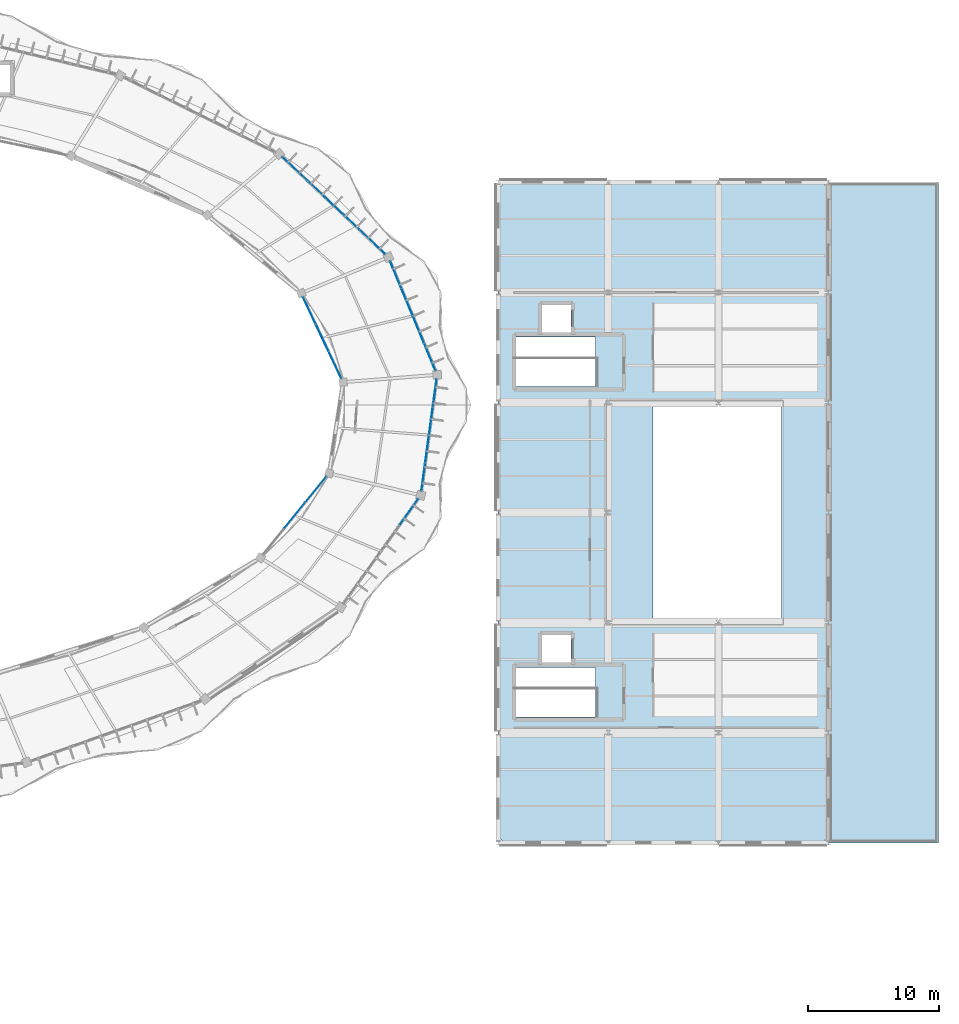
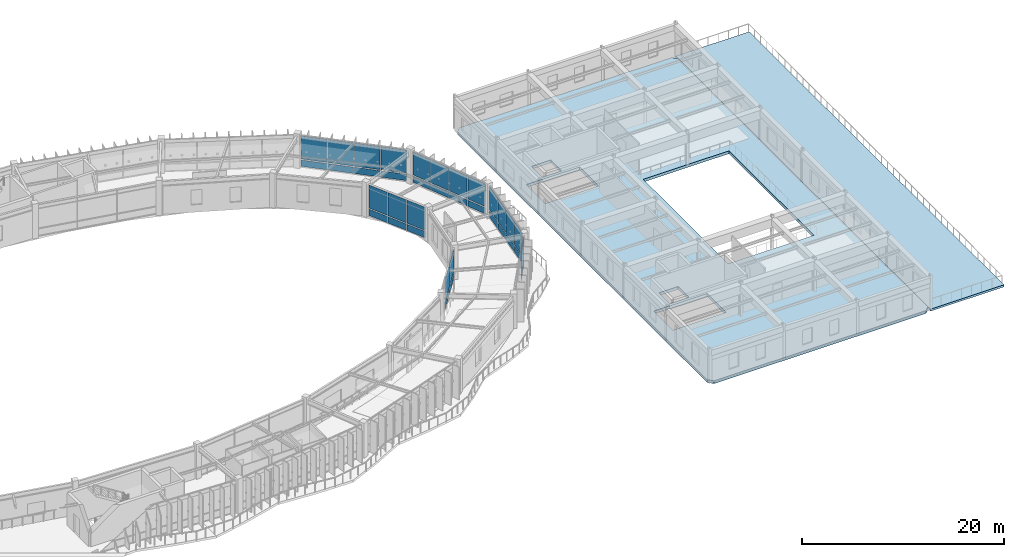
# One storey, part 87 of 114: 36 plates, 2 slabs, 6 elements without a shape of their own.
"""IFC4 building model written with IfcOpenShell, lengths in metres."""

from ifc_helpers import new_model, si_unit, direction, frame, origin, origin_2d, place, context, subcontext, project, spatial, polyline, rectangle, outline, extrude, material, layer, layer_set, type_object, element, aggregate, save


model = new_model("IFC4")

# Units and contexts
model_context = context("Model", 3, precision=1e-05, world=origin(), true_north=direction((0.0, 1.0)))
body_context = subcontext(model_context, "Body", "Model", "MODEL_VIEW")
ifc_project = project(units=[si_unit("LENGTHUNIT", "METRE"), si_unit("AREAUNIT", "SQUARE_METRE"), si_unit("VOLUMEUNIT", "CUBIC_METRE"), si_unit("PLANEANGLEUNIT", "RADIAN"), si_unit("MASSUNIT", "GRAM", prefix="KILO"), si_unit("THERMODYNAMICTEMPERATUREUNIT", "KELVIN"), si_unit("POWERUNIT", "WATT")], contexts=[model_context])

# Site, building, storey
site_placement = place(None, origin())
site = spatial("IfcSite", under=ifc_project, at=site_placement, CompositionType="ELEMENT")
building_placement = place(site_placement, origin())
building = spatial("IfcBuilding", under=site, at=building_placement, Name="Darbajah Civic Hall", CompositionType="ELEMENT")
storey_placement = place(building_placement, frame((0.0, 0.0, 13.800048828125)))
storey = spatial("IfcBuildingStorey", under=building, at=storey_placement, Name="L03", CompositionType="ELEMENT", Elevation=13.800048828125)

# Curtain wall, plates
ifc_material_1 = material(Name="Anodised Bronze Aluminium and Low-E Glazing", Category="aluminium")
curtain_wall_type_1 = type_object("IfcCurtainWallType", Name="Unitised Curtain Wall CW-55 6900x3900", PredefinedType="USERDEFINED", material=ifc_material_1)
curtain_wall_1_placement = place(storey_placement, origin())
curtain_wall_1 = element("IfcCurtainWall", 1, at=curtain_wall_1_placement, inside=storey, type_object=curtain_wall_type_1, Name="L03 unitised curtain wall CW-V1I-L03-00", ObjectType="UNITISED CURTAIN WALL", PredefinedType="USERDEFINED")
ifc_material_2 = material(Name="Low-E Solar Control Double Glazing", Category="glass")
ifc_layer_1 = layer(ifc_material_2, 0.028076171875, Name="Low-E Solar Control Double Glazing")
ifc_layer_set_1 = layer_set([ifc_layer_1], Name="Low-E Solar Control Double Glazing")
plate_type_1 = type_object("IfcPlateType", Name="Solar Double Glazing 28mm", PredefinedType="CURTAIN_PANEL", material=ifc_layer_set_1)
plate_1_placement = place(storey_placement, frame((132.14599609375, 92.8623046875, 0.119873046875), z_axis=(0.0, 0.0, 1.0), x_axis=(-0.426568739901, 0.904455145454, 0.0)))
plate_1 = element("IfcPlate", 2, at=plate_1_placement, type_object=plate_type_1, Name="CW-V1I-L03-00 glazed panel 1.1", PredefinedType="CURTAIN_PANEL", context=body_context, shape_type="SweptSolid", body=[
    extrude(rectangle(XDim=2.22900390625, YDim=0.028076171875, at=origin_2d()), origin(), (0.0, 0.0, 1.0), 0.77001953125),
])
plate_2_placement = place(storey_placement, frame((132.14599609375, 92.8623046875, 1.010009765625), z_axis=(0.0, 0.0, 1.0), x_axis=(-0.426568739901, 0.904455145454, 0.0)))
plate_2 = element("IfcPlate", 3, at=plate_2_placement, type_object=plate_type_1, Name="CW-V1I-L03-00 glazed panel 1.2", PredefinedType="CURTAIN_PANEL", context=body_context, shape_type="SweptSolid", body=[
    extrude(rectangle(XDim=2.22900390625, YDim=0.028076171875, at=origin_2d()), origin(), (0.0, 0.0, 1.0), 2.7900390625),
])
plate_3_placement = place(storey_placement, frame((131.16552734375, 94.941650390625, 0.119873046875), z_axis=(0.0, 0.0, 1.0), x_axis=(-0.426568739901, 0.904455145454, 0.0)))
plate_3 = element("IfcPlate", 4, at=plate_3_placement, type_object=plate_type_1, Name="CW-V1I-L03-00 glazed panel 2.1", PredefinedType="CURTAIN_PANEL", context=body_context, shape_type="SweptSolid", body=[
    extrude(rectangle(XDim=2.22900390625, YDim=0.028076171875, at=origin_2d()), origin(), (0.0, 0.0, 1.0), 0.77001953125),
])
plate_4_placement = place(storey_placement, frame((131.16552734375, 94.941650390625, 1.010009765625), z_axis=(0.0, 0.0, 1.0), x_axis=(-0.426568739901, 0.904455145454, 0.0)))
plate_4 = element("IfcPlate", 5, at=plate_4_placement, type_object=plate_type_1, Name="CW-V1I-L03-00 glazed panel 2.2", PredefinedType="CURTAIN_PANEL", context=body_context, shape_type="SweptSolid", body=[
    extrude(rectangle(XDim=2.22900390625, YDim=0.028076171875, at=origin_2d()), origin(), (0.0, 0.0, 1.0), 2.7900390625),
])
plate_5_placement = place(storey_placement, frame((130.18505859375, 97.02099609375, 0.119873046875), z_axis=(0.0, 0.0, 1.0), x_axis=(-0.426568739901, 0.904455145454, 0.0)))
plate_5 = element("IfcPlate", 6, at=plate_5_placement, type_object=plate_type_1, Name="CW-V1I-L03-00 glazed panel 3.1", PredefinedType="CURTAIN_PANEL", context=body_context, shape_type="SweptSolid", body=[
    extrude(rectangle(XDim=2.22900390625, YDim=0.028076171875, at=origin_2d()), origin(), (0.0, 0.0, 1.0), 0.77001953125),
])
plate_6_placement = place(storey_placement, frame((130.18505859375, 97.02099609375, 1.010009765625), z_axis=(0.0, 0.0, 1.0), x_axis=(-0.426568739901, 0.904455145454, 0.0)))
plate_6 = element("IfcPlate", 7, at=plate_6_placement, type_object=plate_type_1, Name="CW-V1I-L03-00 glazed panel 3.2", PredefinedType="CURTAIN_PANEL", context=body_context, shape_type="SweptSolid", body=[
    extrude(rectangle(XDim=2.22900390625, YDim=0.028076171875, at=origin_2d()), origin(), (0.0, 0.0, 1.0), 2.7900390625),
])
aggregate(curtain_wall_1, [plate_1, plate_2, plate_3, plate_4, plate_5, plate_6])

curtain_wall_type_2 = type_object("IfcCurtainWallType", Name="Unitised Curtain Wall CW-39 10800x3900", PredefinedType="USERDEFINED", material=ifc_material_1)
curtain_wall_2_placement = place(storey_placement, origin())
curtain_wall_2 = element("IfcCurtainWall", 8, at=curtain_wall_2_placement, inside=storey, type_object=curtain_wall_type_2, Name="L03 unitised curtain wall CW-V1O-L03-01", ObjectType="UNITISED CURTAIN WALL", PredefinedType="USERDEFINED")
plate_7_placement = place(storey_placement, frame((134.997314453125, 102.2412109375, 0.119873046875), z_axis=(0.0, 0.0, 1.0), x_axis=(-0.727173991201, 0.686453193248, 0.0)))
plate_7 = element("IfcPlate", 9, at=plate_7_placement, type_object=plate_type_1, Name="CW-V1O-L03-01 glazed panel 1.1", PredefinedType="CURTAIN_PANEL", context=body_context, shape_type="SweptSolid", body=[
    extrude(rectangle(XDim=2.632568359375, YDim=0.028076171875, at=origin_2d()), origin(), (0.0, 0.0, 1.0), 0.77001953125),
])
plate_8_placement = place(storey_placement, frame((134.997314453125, 102.2412109375, 1.010009765625), z_axis=(0.0, 0.0, 1.0), x_axis=(-0.727173991201, 0.686453193248, 0.0)))
plate_8 = element("IfcPlate", 10, at=plate_8_placement, type_object=plate_type_1, Name="CW-V1O-L03-01 glazed panel 1.2", PredefinedType="CURTAIN_PANEL", context=body_context, shape_type="SweptSolid", body=[
    extrude(rectangle(XDim=2.632568359375, YDim=0.028076171875, at=origin_2d()), origin(), (0.0, 0.0, 1.0), 2.7900390625),
])
plate_9_placement = place(storey_placement, frame((133.031982421875, 104.096435546875, 0.119873046875), z_axis=(0.0, 0.0, 1.0), x_axis=(-0.727173991201, 0.686453193248, 0.0)))
plate_9 = element("IfcPlate", 11, at=plate_9_placement, type_object=plate_type_1, Name="CW-V1O-L03-01 glazed panel 2.1", PredefinedType="CURTAIN_PANEL", context=body_context, shape_type="SweptSolid", body=[
    extrude(rectangle(XDim=2.632568359375, YDim=0.028076171875, at=origin_2d()), origin(), (0.0, 0.0, 1.0), 0.77001953125),
])
plate_10_placement = place(storey_placement, frame((133.031982421875, 104.096435546875, 1.010009765625), z_axis=(0.0, 0.0, 1.0), x_axis=(-0.727173991201, 0.686453193248, 0.0)))
plate_10 = element("IfcPlate", 12, at=plate_10_placement, type_object=plate_type_1, Name="CW-V1O-L03-01 glazed panel 2.2", PredefinedType="CURTAIN_PANEL", context=body_context, shape_type="SweptSolid", body=[
    extrude(rectangle(XDim=2.632568359375, YDim=0.028076171875, at=origin_2d()), origin(), (0.0, 0.0, 1.0), 2.7900390625),
])
plate_11_placement = place(storey_placement, frame((131.066650390625, 105.951416015625, 0.119873046875), z_axis=(0.0, 0.0, 1.0), x_axis=(-0.727173991201, 0.686453193248, 0.0)))
plate_11 = element("IfcPlate", 13, at=plate_11_placement, type_object=plate_type_1, Name="CW-V1O-L03-01 glazed panel 3.1", PredefinedType="CURTAIN_PANEL", context=body_context, shape_type="SweptSolid", body=[
    extrude(rectangle(XDim=2.632568359375, YDim=0.028076171875, at=origin_2d()), origin(), (0.0, 0.0, 1.0), 0.77001953125),
])
plate_12_placement = place(storey_placement, frame((131.066650390625, 105.951416015625, 1.010009765625), z_axis=(0.0, 0.0, 1.0), x_axis=(-0.727173991201, 0.686453193248, 0.0)))
plate_12 = element("IfcPlate", 14, at=plate_12_placement, type_object=plate_type_1, Name="CW-V1O-L03-01 glazed panel 3.2", PredefinedType="CURTAIN_PANEL", context=body_context, shape_type="SweptSolid", body=[
    extrude(rectangle(XDim=2.632568359375, YDim=0.028076171875, at=origin_2d()), origin(), (0.0, 0.0, 1.0), 2.7900390625),
])
plate_13_placement = place(storey_placement, frame((129.101318359375, 107.806640625, 0.119873046875), z_axis=(0.0, 0.0, 1.0), x_axis=(-0.727173991201, 0.686453193248, 0.0)))
plate_13 = element("IfcPlate", 15, at=plate_13_placement, type_object=plate_type_1, Name="CW-V1O-L03-01 glazed panel 4.1", PredefinedType="CURTAIN_PANEL", context=body_context, shape_type="SweptSolid", body=[
    extrude(rectangle(XDim=2.632568359375, YDim=0.028076171875, at=origin_2d()), origin(), (0.0, 0.0, 1.0), 0.77001953125),
])
plate_14_placement = place(storey_placement, frame((129.101318359375, 107.806640625, 1.010009765625), z_axis=(0.0, 0.0, 1.0), x_axis=(-0.727173991201, 0.686453193248, 0.0)))
plate_14 = element("IfcPlate", 16, at=plate_14_placement, type_object=plate_type_1, Name="CW-V1O-L03-01 glazed panel 4.2", PredefinedType="CURTAIN_PANEL", context=body_context, shape_type="SweptSolid", body=[
    extrude(rectangle(XDim=2.632568359375, YDim=0.028076171875, at=origin_2d()), origin(), (0.0, 0.0, 1.0), 2.7900390625),
])
aggregate(curtain_wall_2, [plate_7, plate_8, plate_9, plate_10, plate_11, plate_12, plate_13, plate_14])

curtain_wall_type_3 = type_object("IfcCurtainWallType", Name="Unitised Curtain Wall CW-52 7700x3900", PredefinedType="USERDEFINED", material=ifc_material_1)
curtain_wall_3_placement = place(storey_placement, origin())
curtain_wall_3 = element("IfcCurtainWall", 17, at=curtain_wall_3_placement, inside=storey, type_object=curtain_wall_type_3, Name="L03 unitised curtain wall CW-V1I-L03-18", ObjectType="UNITISED CURTAIN WALL", PredefinedType="USERDEFINED")
plate_15_placement = place(storey_placement, frame((129.067626953125, 81.371337890625, 0.119873046875), z_axis=(0.0, 0.0, 1.0), x_axis=(0.63108205791, 0.775716079622, 0.0)))
plate_15 = element("IfcPlate", 18, at=plate_15_placement, type_object=plate_type_1, Name="CW-V1I-L03-18 glazed panel 2.1", PredefinedType="CURTAIN_PANEL", context=body_context, shape_type="SweptSolid", body=[
    extrude(rectangle(XDim=2.49853515625, YDim=0.028076171875, at=origin_2d()), origin(), (0.0, 0.0, 1.0), 0.77001953125),
])
plate_16_placement = place(storey_placement, frame((129.067626953125, 81.371337890625, 1.010009765625), z_axis=(0.0, 0.0, 1.0), x_axis=(0.63108205791, 0.775716079622, 0.0)))
plate_16 = element("IfcPlate", 19, at=plate_16_placement, type_object=plate_type_1, Name="CW-V1I-L03-18 glazed panel 2.2", PredefinedType="CURTAIN_PANEL", context=body_context, shape_type="SweptSolid", body=[
    extrude(rectangle(XDim=2.49853515625, YDim=0.028076171875, at=origin_2d()), origin(), (0.0, 0.0, 1.0), 2.7900390625),
])
plate_17_placement = place(storey_placement, frame((130.688720703125, 83.36376953125, 0.119873046875), z_axis=(0.0, 0.0, 1.0), x_axis=(0.63108205791, 0.775716079622, 0.0)))
plate_17 = element("IfcPlate", 20, at=plate_17_placement, type_object=plate_type_1, Name="CW-V1I-L03-18 glazed panel 3.1", PredefinedType="CURTAIN_PANEL", context=body_context, shape_type="SweptSolid", body=[
    extrude(rectangle(XDim=2.49853515625, YDim=0.028076171875, at=origin_2d()), origin(), (0.0, 0.0, 1.0), 0.77001953125),
])
plate_18_placement = place(storey_placement, frame((130.688720703125, 83.36376953125, 1.010009765625), z_axis=(0.0, 0.0, 1.0), x_axis=(0.63108205791, 0.775716079622, 0.0)))
plate_18 = element("IfcPlate", 21, at=plate_18_placement, type_object=plate_type_1, Name="CW-V1I-L03-18 glazed panel 3.2", PredefinedType="CURTAIN_PANEL", context=body_context, shape_type="SweptSolid", body=[
    extrude(rectangle(XDim=2.49853515625, YDim=0.028076171875, at=origin_2d()), origin(), (0.0, 0.0, 1.0), 2.7900390625),
])
aggregate(curtain_wall_3, [plate_15, plate_16, plate_17, plate_18])

curtain_wall_type_4 = type_object("IfcCurtainWallType", Name="Unitised Curtain Wall CW-53 8600x3900", PredefinedType="USERDEFINED", material=ifc_material_1)
curtain_wall_4_placement = place(storey_placement, origin())
curtain_wall_4 = element("IfcCurtainWall", 22, at=curtain_wall_4_placement, inside=storey, type_object=curtain_wall_type_4, Name="L03 unitised curtain wall CW-V1O-L03-19", ObjectType="UNITISED CURTAIN WALL", PredefinedType="USERDEFINED")
plate_19_placement = place(storey_placement, frame((138.88037109375, 84.306396484375, 0.119873046875), z_axis=(0.0, 0.0, 1.0), x_axis=(0.134850930274, 0.990865897387, 0.0)))
plate_19 = element("IfcPlate", 23, at=plate_19_placement, type_object=plate_type_1, Name="CW-V1O-L03-19 glazed panel 1.1", PredefinedType="CURTAIN_PANEL", context=body_context, shape_type="SweptSolid", body=[
    extrude(rectangle(XDim=2.087890625, YDim=0.028076171875, at=origin_2d()), origin(), (0.0, 0.0, 1.0), 0.77001953125),
])
plate_20_placement = place(storey_placement, frame((138.88037109375, 84.306396484375, 1.010009765625), z_axis=(0.0, 0.0, 1.0), x_axis=(0.134850930274, 0.990865897387, 0.0)))
plate_20 = element("IfcPlate", 24, at=plate_20_placement, type_object=plate_type_1, Name="CW-V1O-L03-19 glazed panel 1.2", PredefinedType="CURTAIN_PANEL", context=body_context, shape_type="SweptSolid", body=[
    extrude(rectangle(XDim=2.087890625, YDim=0.028076171875, at=origin_2d()), origin(), (0.0, 0.0, 1.0), 2.7900390625),
])
plate_21_placement = place(storey_placement, frame((139.17138671875, 86.44482421875, 0.119873046875), z_axis=(0.0, 0.0, 1.0), x_axis=(0.134850930274, 0.990865897387, 0.0)))
plate_21 = element("IfcPlate", 25, at=plate_21_placement, type_object=plate_type_1, Name="CW-V1O-L03-19 glazed panel 2.1", PredefinedType="CURTAIN_PANEL", context=body_context, shape_type="SweptSolid", body=[
    extrude(rectangle(XDim=2.087890625, YDim=0.028076171875, at=origin_2d()), origin(), (0.0, 0.0, 1.0), 0.77001953125),
])
plate_22_placement = place(storey_placement, frame((139.17138671875, 86.44482421875, 1.010009765625), z_axis=(0.0, 0.0, 1.0), x_axis=(0.134850930274, 0.990865897387, 0.0)))
plate_22 = element("IfcPlate", 26, at=plate_22_placement, type_object=plate_type_1, Name="CW-V1O-L03-19 glazed panel 2.2", PredefinedType="CURTAIN_PANEL", context=body_context, shape_type="SweptSolid", body=[
    extrude(rectangle(XDim=2.087890625, YDim=0.028076171875, at=origin_2d()), origin(), (0.0, 0.0, 1.0), 2.7900390625),
])
plate_23_placement = place(storey_placement, frame((139.46240234375, 88.5830078125, 0.119873046875), z_axis=(0.0, 0.0, 1.0), x_axis=(0.134850930274, 0.990865897387, 0.0)))
plate_23 = element("IfcPlate", 27, at=plate_23_placement, type_object=plate_type_1, Name="CW-V1O-L03-19 glazed panel 3.1", PredefinedType="CURTAIN_PANEL", context=body_context, shape_type="SweptSolid", body=[
    extrude(rectangle(XDim=2.087890625, YDim=0.028076171875, at=origin_2d()), origin(), (0.0, 0.0, 1.0), 0.77001953125),
])
plate_24_placement = place(storey_placement, frame((139.46240234375, 88.5830078125, 1.010009765625), z_axis=(0.0, 0.0, 1.0), x_axis=(0.134850930274, 0.990865897387, 0.0)))
plate_24 = element("IfcPlate", 28, at=plate_24_placement, type_object=plate_type_1, Name="CW-V1O-L03-19 glazed panel 3.2", PredefinedType="CURTAIN_PANEL", context=body_context, shape_type="SweptSolid", body=[
    extrude(rectangle(XDim=2.087890625, YDim=0.028076171875, at=origin_2d()), origin(), (0.0, 0.0, 1.0), 2.7900390625),
])
plate_25_placement = place(storey_placement, frame((139.75341796875, 90.721435546875, 0.119873046875), z_axis=(0.0, 0.0, 1.0), x_axis=(0.134850930274, 0.990865897387, 0.0)))
plate_25 = element("IfcPlate", 29, at=plate_25_placement, type_object=plate_type_1, Name="CW-V1O-L03-19 glazed panel 4.1", PredefinedType="CURTAIN_PANEL", context=body_context, shape_type="SweptSolid", body=[
    extrude(rectangle(XDim=2.087890625, YDim=0.028076171875, at=origin_2d()), origin(), (0.0, 0.0, 1.0), 0.77001953125),
])
plate_26_placement = place(storey_placement, frame((139.75341796875, 90.721435546875, 1.010009765625), z_axis=(0.0, 0.0, 1.0), x_axis=(0.134850930274, 0.990865897387, 0.0)))
plate_26 = element("IfcPlate", 30, at=plate_26_placement, type_object=plate_type_1, Name="CW-V1O-L03-19 glazed panel 4.2", PredefinedType="CURTAIN_PANEL", context=body_context, shape_type="SweptSolid", body=[
    extrude(rectangle(XDim=2.087890625, YDim=0.028076171875, at=origin_2d()), origin(), (0.0, 0.0, 1.0), 2.7900390625),
])
aggregate(curtain_wall_4, [plate_19, plate_20, plate_21, plate_22, plate_23, plate_24, plate_25, plate_26])

curtain_wall_type_5 = type_object("IfcCurtainWallType", Name="Unitised Curtain Wall CW-54 9100x3900", PredefinedType="USERDEFINED", material=ifc_material_1)
curtain_wall_5_placement = place(storey_placement, origin())
curtain_wall_5 = element("IfcCurtainWall", 31, at=curtain_wall_5_placement, inside=storey, type_object=curtain_wall_type_5, Name="L03 unitised curtain wall CW-V1O-L03-00", ObjectType="UNITISED CURTAIN WALL", PredefinedType="USERDEFINED")
ifc_layer_2 = layer(ifc_material_2, 0.031982421875, Name="Low-E Solar Control Double Glazing")
ifc_layer_set_2 = layer_set([ifc_layer_2], Name="Low-E Solar Control Double Glazing")
plate_type_2 = type_object("IfcPlateType", Name="Solar Double Glazing 32mm", PredefinedType="CURTAIN_PANEL", material=ifc_layer_set_2)
plate_27_placement = place(storey_placement, frame((139.383056640625, 93.462890625, 0.14013671875), z_axis=(0.0, 0.0, 1.0), x_axis=(-0.383328328644, 0.923612143954, 0.0)))
plate_27 = element("IfcPlate", 32, at=plate_27_placement, type_object=plate_type_2, Name="CW-V1O-L03-00 glazed panel 1.1", PredefinedType="CURTAIN_PANEL", context=body_context, shape_type="SweptSolid", body=[
    extrude(rectangle(XDim=2.19091796875, YDim=0.031982421875, at=origin_2d()), origin(), (0.0, 0.0, 1.0), 0.739990234375),
])
plate_28_placement = place(storey_placement, frame((139.383056640625, 93.462890625, 1.02001953125), z_axis=(0.0, 0.0, 1.0), x_axis=(-0.383328328644, 0.923612143954, 0.0)))
plate_28 = element("IfcPlate", 33, at=plate_28_placement, type_object=plate_type_2, Name="CW-V1O-L03-00 glazed panel 1.2", PredefinedType="CURTAIN_PANEL", context=body_context, shape_type="SweptSolid", body=[
    extrude(rectangle(XDim=2.19091796875, YDim=0.031982421875, at=origin_2d()), origin(), (0.0, 0.0, 1.0), 2.760009765625),
])
plate_29_placement = place(storey_placement, frame((138.5146484375, 95.555419921875, 0.14013671875), z_axis=(0.0, 0.0, 1.0), x_axis=(-0.383328328644, 0.923612143954, 0.0)))
plate_29 = element("IfcPlate", 34, at=plate_29_placement, type_object=plate_type_2, Name="CW-V1O-L03-00 glazed panel 2.1", PredefinedType="CURTAIN_PANEL", context=body_context, shape_type="SweptSolid", body=[
    extrude(rectangle(XDim=2.19091796875, YDim=0.031982421875, at=origin_2d()), origin(), (0.0, 0.0, 1.0), 0.739990234375),
])
plate_30_placement = place(storey_placement, frame((138.5146484375, 95.555419921875, 1.02001953125), z_axis=(0.0, 0.0, 1.0), x_axis=(-0.383328328644, 0.923612143954, 0.0)))
plate_30 = element("IfcPlate", 35, at=plate_30_placement, type_object=plate_type_2, Name="CW-V1O-L03-00 glazed panel 2.2", PredefinedType="CURTAIN_PANEL", context=body_context, shape_type="SweptSolid", body=[
    extrude(rectangle(XDim=2.19091796875, YDim=0.031982421875, at=origin_2d()), origin(), (0.0, 0.0, 1.0), 2.760009765625),
])
plate_31_placement = place(storey_placement, frame((137.64599609375, 97.648193359375, 0.14013671875), z_axis=(0.0, 0.0, 1.0), x_axis=(-0.383328328644, 0.923612143954, 0.0)))
plate_31 = element("IfcPlate", 36, at=plate_31_placement, type_object=plate_type_2, Name="CW-V1O-L03-00 glazed panel 3.1", PredefinedType="CURTAIN_PANEL", context=body_context, shape_type="SweptSolid", body=[
    extrude(rectangle(XDim=2.19091796875, YDim=0.031982421875, at=origin_2d()), origin(), (0.0, 0.0, 1.0), 0.739990234375),
])
plate_32_placement = place(storey_placement, frame((137.64599609375, 97.648193359375, 1.02001953125), z_axis=(0.0, 0.0, 1.0), x_axis=(-0.383328328644, 0.923612143954, 0.0)))
plate_32 = element("IfcPlate", 37, at=plate_32_placement, type_object=plate_type_2, Name="CW-V1O-L03-00 glazed panel 3.2", PredefinedType="CURTAIN_PANEL", context=body_context, shape_type="SweptSolid", body=[
    extrude(rectangle(XDim=2.19091796875, YDim=0.031982421875, at=origin_2d()), origin(), (0.0, 0.0, 1.0), 2.760009765625),
])
plate_33_placement = place(storey_placement, frame((136.777587890625, 99.740966796875, 0.14013671875), z_axis=(0.0, 0.0, 1.0), x_axis=(-0.383328328644, 0.923612143954, 0.0)))
plate_33 = element("IfcPlate", 38, at=plate_33_placement, type_object=plate_type_2, Name="CW-V1O-L03-00 glazed panel 4.1", PredefinedType="CURTAIN_PANEL", context=body_context, shape_type="SweptSolid", body=[
    extrude(rectangle(XDim=2.19091796875, YDim=0.031982421875, at=origin_2d()), origin(), (0.0, 0.0, 1.0), 0.739990234375),
])
plate_34_placement = place(storey_placement, frame((136.777587890625, 99.740966796875, 1.02001953125), z_axis=(0.0, 0.0, 1.0), x_axis=(-0.383328328644, 0.923612143954, 0.0)))
plate_34 = element("IfcPlate", 39, at=plate_34_placement, type_object=plate_type_2, Name="CW-V1O-L03-00 glazed panel 4.2", PredefinedType="CURTAIN_PANEL", context=body_context, shape_type="SweptSolid", body=[
    extrude(rectangle(XDim=2.19091796875, YDim=0.031982421875, at=origin_2d()), origin(), (0.0, 0.0, 1.0), 2.760009765625),
])
aggregate(curtain_wall_5, [plate_27, plate_28, plate_29, plate_30, plate_31, plate_32, plate_33, plate_34])

curtain_wall_type_6 = type_object("IfcCurtainWallType", Name="Unitised Curtain Wall CW-51 9800x3900", PredefinedType="USERDEFINED", material=ifc_material_1)
curtain_wall_6_placement = place(storey_placement, origin())
curtain_wall_6 = element("IfcCurtainWall", 40, at=curtain_wall_6_placement, inside=storey, type_object=curtain_wall_type_6, Name="L03 unitised curtain wall CW-V1O-L03-18", ObjectType="UNITISED CURTAIN WALL", PredefinedType="USERDEFINED")
plate_35_placement = place(storey_placement, frame((137.784912109375, 81.648193359375, 0.14013671875), z_axis=(0.0, 0.0, 1.0), x_axis=(0.582264874145, 0.812999149039, 0.0)))
plate_35 = element("IfcPlate", 41, at=plate_35_placement, type_object=plate_type_2, Name="CW-V1O-L03-18 glazed panel 4.1", PredefinedType="CURTAIN_PANEL", context=body_context, shape_type="SweptSolid", body=[
    extrude(rectangle(XDim=2.383544921875, YDim=0.031982421875, at=origin_2d()), origin(), (0.0, 0.0, 1.0), 0.739990234375),
])
plate_36_placement = place(storey_placement, frame((137.784912109375, 81.648193359375, 1.02001953125), z_axis=(0.0, 0.0, 1.0), x_axis=(0.582264874145, 0.812999149039, 0.0)))
plate_36 = element("IfcPlate", 42, at=plate_36_placement, type_object=plate_type_2, Name="CW-V1O-L03-18 glazed panel 4.2", PredefinedType="CURTAIN_PANEL", context=body_context, shape_type="SweptSolid", body=[
    extrude(rectangle(XDim=2.383544921875, YDim=0.031982421875, at=origin_2d()), origin(), (0.0, 0.0, 1.0), 2.760009765625),
])
aggregate(curtain_wall_6, [plate_35, plate_36])

# Slabs
ifc_material_3 = material(Name="Concrete C45/55", Category="concrete")
ifc_layer_3 = layer(ifc_material_3, 0.340087890625, Name="Concrete C45/55")
ifc_layer_set_3 = layer_set([ifc_layer_3], Name="Concrete C45/55")
slab_type_1 = type_object("IfcSlabType", Name="Structural Floor Slab 340mm", PredefinedType="FLOOR", material=ifc_layer_set_3)
slab_1_placement = place(storey_placement, frame((0.0, 0.0, -0.340087890625)))
element("IfcSlab", 43, at=slab_1_placement, inside=storey, type_object=slab_type_1, Name="L03 Members Library floor slab", PredefinedType="FLOOR", context=body_context, shape_type="SweptSolid", body=[
    extrude(outline(polyline([(145.10009765625, 56.39990234375), (169.300048828125, 56.39990234375), (169.800048828125, 56.89990234375), (169.800048828125, 106.300048828125), (169.300048828125, 106.800048828125), (145.10009765625, 106.800048828125), (144.60009765625, 106.300048828125), (144.60009765625, 56.89990234375), (145.10009765625, 56.39990234375)]), holes=[polyline([(145.93994140625, 94.97998046875), (152.02001953125, 94.97998046875), (152.02001953125, 91.219970703125), (145.93994140625, 91.219970703125), (145.93994140625, 94.97998046875)]), polyline([(147.949951171875, 97.449951171875), (150.14990234375, 97.449951171875), (150.14990234375, 95.35009765625), (147.949951171875, 95.35009765625), (147.949951171875, 97.449951171875)]), polyline([(145.93994140625, 69.780029296875), (152.02001953125, 69.780029296875), (152.02001953125, 66.02001953125), (145.93994140625, 66.02001953125), (145.93994140625, 69.780029296875)]), polyline([(147.949951171875, 72.25), (150.14990234375, 72.25), (150.14990234375, 70.14990234375), (147.949951171875, 70.14990234375), (147.949951171875, 72.25)]), polyline([(156.39990234375, 90.0), (166.199951171875, 90.0), (166.199951171875, 73.199951171875), (156.39990234375, 73.199951171875), (156.39990234375, 90.0)])]), origin(), (0.0, 0.0, 1.0), 0.340087890625),
])
ifc_layer_4 = layer(ifc_material_3, 0.25, Name="Concrete C45/55")
ifc_layer_set_4 = layer_set([ifc_layer_4], Name="Concrete C45/55")
slab_type_2 = type_object("IfcSlabType", Name="Walkable Terrace Slab 250mm", PredefinedType="FLOOR", material=ifc_layer_set_4)
slab_2_placement = place(storey_placement, frame((0.0, 0.0, -0.25)))
element("IfcSlab", 44, at=slab_2_placement, inside=storey, type_object=slab_type_2, Name="L03 Library Waterfront Reading Terrace slab", PredefinedType="FLOOR", context=body_context, shape_type="SweptSolid", body=[
    extrude(outline(polyline([(169.800048828125, 56.39990234375), (178.199951171875, 56.39990234375), (178.199951171875, 106.800048828125), (169.800048828125, 106.800048828125), (169.800048828125, 56.39990234375)])), origin(), (0.0, 0.0, 1.0), 0.25),
])

save(model, "model.ifc")
